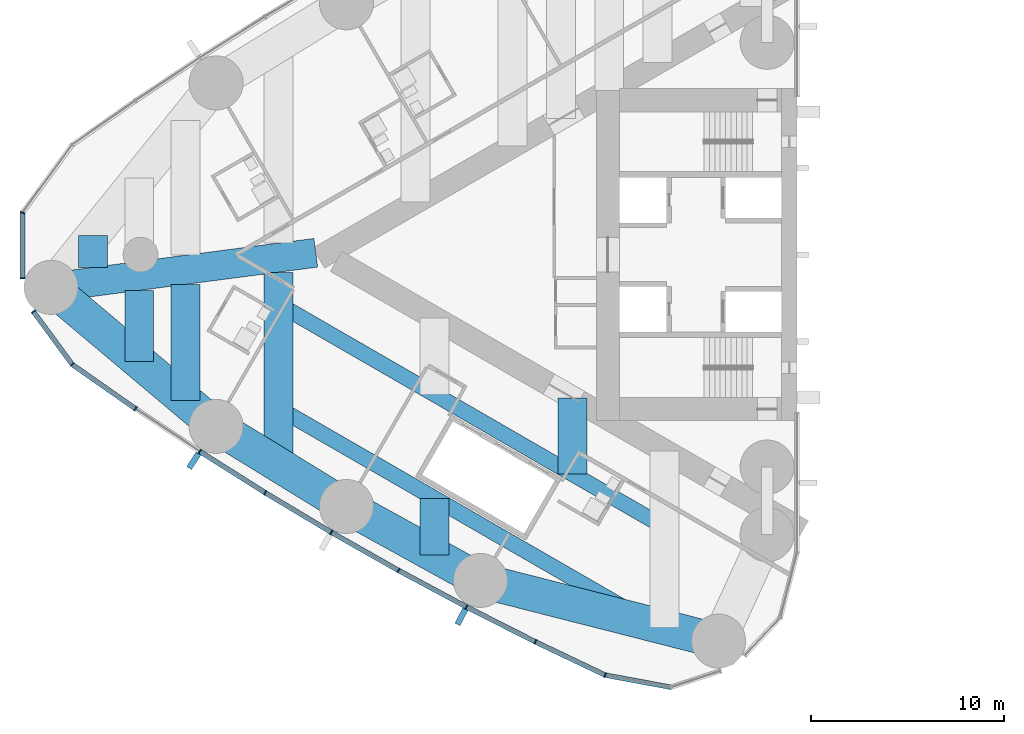
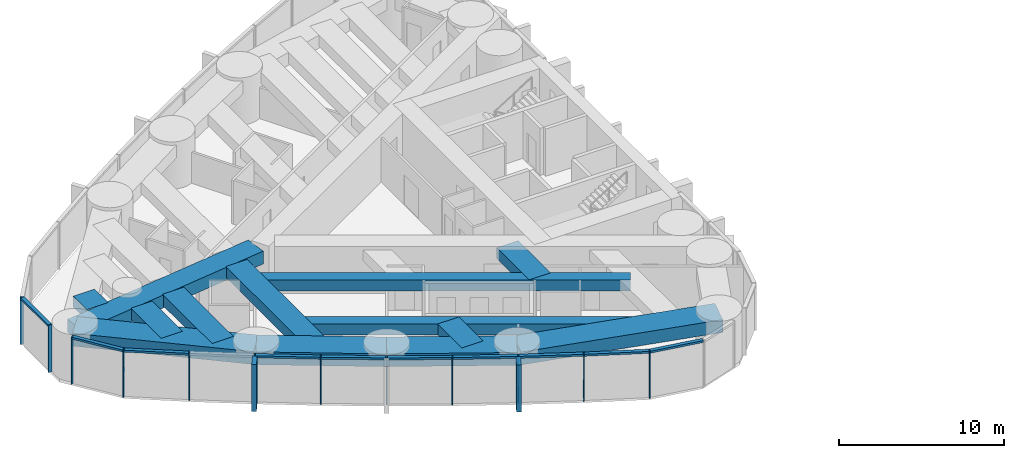
# One storey, part 2 of 19: 24 members, 13 beams, 2 elements without a shape of their own.
"""IFC4 building model written with IfcOpenShell, lengths in metres."""

from ifc_helpers import new_model, si_unit, direction, frame, origin, origin_2d, place, context, subcontext, project, spatial, rectangle, hollow_rectangle, extrude, material, material_profile, profile_set, type_object, element, aggregate, save


model = new_model("IFC4")

# Units and contexts
model_context = context("Model", 3, precision=1e-05, world=origin(), true_north=direction((0.0, 1.0)))
body_context = subcontext(model_context, "Body", "Model", "MODEL_VIEW")
ifc_project = project(units=[si_unit("LENGTHUNIT", "METRE"), si_unit("AREAUNIT", "SQUARE_METRE"), si_unit("VOLUMEUNIT", "CUBIC_METRE"), si_unit("PLANEANGLEUNIT", "RADIAN"), si_unit("MASSUNIT", "GRAM", prefix="KILO")], contexts=[model_context])

# Site, building, storey
site_placement = place(None, origin())
site = spatial("IfcSite", under=ifc_project, at=site_placement, CompositionType="ELEMENT")
building_placement = place(site_placement, origin())
building = spatial("IfcBuilding", under=site, at=building_placement, Name="Lancet Gate Hotel", CompositionType="ELEMENT")
storey_placement = place(building_placement, frame((0.0, 0.0, 173.800048828125)))
storey = spatial("IfcBuildingStorey", under=building, at=storey_placement, Name="L46", CompositionType="ELEMENT", Elevation=173.800048828125)

# Curtain wall, members
ifc_material_1 = material(Name="Aluminium curtain wall", Category="aluminium")
curtain_wall_type = type_object("IfcCurtainWallType", Name="Tower unitised curtain wall", PredefinedType="USERDEFINED", material=ifc_material_1)
curtain_wall_1_placement = place(storey_placement, origin())
curtain_wall_1 = element("IfcCurtainWall", 1, at=curtain_wall_1_placement, inside=storey, type_object=curtain_wall_type, Name="T1 L46 curtain wall 2", ObjectType="UNITISED CURTAIN WALL", PredefinedType="USERDEFINED")
ifc_material_2 = material(Name="Aluminium mullion", Category="aluminium")
ifc_material_profile_1 = material_profile(ifc_material_2, rectangle(XDim=0.06494140625, YDim=0.25, at=origin_2d()), Name="MULLION 65x250")
ifc_profile_set_1 = profile_set([ifc_material_profile_1], Name="Aluminium mullion")
member_type_1 = type_object("IfcMemberType", Name="Aluminium mullion 65x250", PredefinedType="MULLION", material=ifc_profile_set_1)
member_1_placement = place(storey_placement, frame((-67.61572265625, 2.177490234375, 0.0), z_axis=(0.0, 0.0, 1.0), x_axis=(-0.349199411078, -0.937048435943, 0.0)))
member_1 = element("IfcMember", 2, at=member_1_placement, type_object=member_type_1, Name="T1 L46 curtain wall 2 mullion 12", PredefinedType="MULLION", context=body_context, shape_type="SweptSolid", body=[
    extrude(rectangle(XDim=0.06494140625, YDim=0.25, at=origin_2d()), origin(), (0.0, 0.0, 1.0), 3.5),
])
member_2_placement = place(storey_placement, frame((-67.61572265625, -1.220458984375, 0.0), z_axis=(0.0, 0.0, 1.0), x_axis=(0.0, -1.0, 0.0)))
member_2 = element("IfcMember", 3, at=member_2_placement, type_object=member_type_1, Name="T1 L46 curtain wall 2 mullion 13", PredefinedType="MULLION", context=body_context, shape_type="SweptSolid", body=[
    extrude(rectangle(XDim=0.06494140625, YDim=0.25, at=origin_2d()), origin(), (0.0, 0.0, 1.0), 3.5),
])

curtain_wall_2_placement = place(storey_placement, origin())
curtain_wall_2 = element("IfcCurtainWall", 4, at=curtain_wall_2_placement, inside=storey, type_object=curtain_wall_type, Name="T1 L46 curtain wall 3", ObjectType="UNITISED CURTAIN WALL", PredefinedType="USERDEFINED")
member_3_placement = place(storey_placement, frame((-67.05029296875, -2.948486328125, 0.0), z_axis=(0.0, 0.0, 1.0), x_axis=(0.591299785592, -0.806451835858, 0.0)))
member_3 = element("IfcMember", 5, at=member_3_placement, type_object=member_type_1, Name="T1 L46 curtain wall 3 mullion 1", PredefinedType="MULLION", context=body_context, shape_type="SweptSolid", body=[
    extrude(rectangle(XDim=0.06494140625, YDim=0.25, at=origin_2d()), origin(), (0.0, 0.0, 1.0), 3.5),
])
member_4_placement = place(storey_placement, frame((-65.040283203125, -5.68994140625, 0.0), z_axis=(0.0, 0.0, 1.0), x_axis=(0.724381882759, -0.689398932354, 0.0)))
member_4 = element("IfcMember", 6, at=member_4_placement, type_object=member_type_1, Name="T1 L46 curtain wall 3 mullion 2", PredefinedType="MULLION", context=body_context, shape_type="SweptSolid", body=[
    extrude(rectangle(XDim=0.06494140625, YDim=0.25, at=origin_2d()), origin(), (0.0, 0.0, 1.0), 3.5),
])
member_5_placement = place(storey_placement, frame((-61.7626953125, -7.980712890625, 0.0), z_axis=(0.0, 0.0, 1.0), x_axis=(0.826312172542, -0.563212387568, 0.0)))
member_5 = element("IfcMember", 7, at=member_5_placement, type_object=member_type_1, Name="T1 L46 curtain wall 3 mullion 3", PredefinedType="MULLION", context=body_context, shape_type="SweptSolid", body=[
    extrude(rectangle(XDim=0.06494140625, YDim=0.25, at=origin_2d()), origin(), (0.0, 0.0, 1.0), 3.5),
])
member_6_placement = place(storey_placement, frame((-58.43212890625, -10.194091796875, 0.0), z_axis=(0.0, 0.0, 1.0), x_axis=(0.839331119324, -0.54362052218, 0.0)))
member_6 = element("IfcMember", 8, at=member_6_placement, type_object=member_type_1, Name="T1 L46 curtain wall 3 mullion 4", PredefinedType="MULLION", context=body_context, shape_type="SweptSolid", body=[
    extrude(rectangle(XDim=0.06494140625, YDim=0.25, at=origin_2d()), origin(), (0.0, 0.0, 1.0), 3.5),
])
member_7_placement = place(storey_placement, frame((-55.05029296875, -12.328369140625, 0.0), z_axis=(0.0, 0.0, 1.0), x_axis=(0.851885635531, -0.52372785297, 0.0)))
member_7 = element("IfcMember", 9, at=member_7_placement, type_object=member_type_1, Name="T1 L46 curtain wall 3 mullion 5", PredefinedType="MULLION", context=body_context, shape_type="SweptSolid", body=[
    extrude(rectangle(XDim=0.06494140625, YDim=0.25, at=origin_2d()), origin(), (0.0, 0.0, 1.0), 3.5),
])
member_8_placement = place(storey_placement, frame((-51.619384765625, -14.38232421875, 0.0), z_axis=(0.0, 0.0, 1.0), x_axis=(0.863968774311, -0.503545387245, 0.0)))
member_8 = element("IfcMember", 10, at=member_8_placement, type_object=member_type_1, Name="T1 L46 curtain wall 3 mullion 6", PredefinedType="MULLION", context=body_context, shape_type="SweptSolid", body=[
    extrude(rectangle(XDim=0.06494140625, YDim=0.25, at=origin_2d()), origin(), (0.0, 0.0, 1.0), 3.5),
])
member_9_placement = place(storey_placement, frame((-48.140869140625, -16.355224609375, 0.0), z_axis=(0.0, 0.0, 1.0), x_axis=(0.87557384965, -0.483084292654, 0.0)))
member_9 = element("IfcMember", 11, at=member_9_placement, type_object=member_type_1, Name="T1 L46 curtain wall 3 mullion 7", PredefinedType="MULLION", context=body_context, shape_type="SweptSolid", body=[
    extrude(rectangle(XDim=0.06494140625, YDim=0.25, at=origin_2d()), origin(), (0.0, 0.0, 1.0), 3.5),
])
member_10_placement = place(storey_placement, frame((-44.6171875, -18.245849609375, 0.0), z_axis=(0.0, 0.0, 1.0), x_axis=(0.886694440064, -0.462355891019, 0.0)))
member_10 = element("IfcMember", 12, at=member_10_placement, type_object=member_type_1, Name="T1 L46 curtain wall 3 mullion 8", PredefinedType="MULLION", context=body_context, shape_type="SweptSolid", body=[
    extrude(rectangle(XDim=0.06494140625, YDim=0.25, at=origin_2d()), origin(), (0.0, 0.0, 1.0), 3.5),
])
member_11_placement = place(storey_placement, frame((-41.0498046875, -20.052978515625, 0.0), z_axis=(0.0, 0.0, 1.0), x_axis=(0.897324392142, -0.441371652088, 0.0)))
member_11 = element("IfcMember", 13, at=member_11_placement, type_object=member_type_1, Name="T1 L46 curtain wall 3 mullion 9", PredefinedType="MULLION", context=body_context, shape_type="SweptSolid", body=[
    extrude(rectangle(XDim=0.06494140625, YDim=0.25, at=origin_2d()), origin(), (0.0, 0.0, 1.0), 3.5),
])
member_12_placement = place(storey_placement, frame((-37.44091796875, -21.775634765625, 0.0), z_axis=(0.0, 0.0, 1.0), x_axis=(0.948119321052, -0.317914694609, 0.0)))
member_12 = element("IfcMember", 14, at=member_12_placement, type_object=member_type_1, Name="T1 L46 curtain wall 3 mullion 10", PredefinedType="MULLION", context=body_context, shape_type="SweptSolid", body=[
    extrude(rectangle(XDim=0.06494140625, YDim=0.25, at=origin_2d()), origin(), (0.0, 0.0, 1.0), 3.5),
])

# Member
ifc_material_3 = material(Name="Aluminium transom", Category="aluminium")
ifc_material_profile_2 = material_profile(ifc_material_3, rectangle(XDim=0.25, YDim=0.14990234375, at=origin_2d()), Name="TRANSOM 250x150")
ifc_profile_set_2 = profile_set([ifc_material_profile_2], Name="Aluminium transom")
member_type_2 = type_object("IfcMemberType", Name="Aluminium transom 250x150", PredefinedType="USERDEFINED", material=ifc_profile_set_2)
member_13_placement = place(storey_placement, frame((-67.61572265625, 2.14501953125, 3.425048828125), z_axis=(0.0, -1.0, 0.0), x_axis=(1.0, 0.0, 0.0)))
member_13 = element("IfcMember", 15, at=member_13_placement, type_object=member_type_2, Name="T1 L46 curtain wall 2 transom 12", ObjectType="TRANSOM", PredefinedType="USERDEFINED", context=body_context, shape_type="SweptSolid", body=[
    extrude(rectangle(XDim=0.25, YDim=0.14990234375, at=origin_2d()), origin(), (0.0, 0.0, 1.0), 3.3330078125),
])

aggregate(curtain_wall_1, [member_1, member_2, member_13])

member_14_placement = place(storey_placement, frame((-67.031005859375, -2.974853515625, 3.425048828125), z_axis=(0.591306519832, -0.806446898193, 0.0), x_axis=(0.806446898193, 0.591306519832, 0.0)))
member_14 = element("IfcMember", 16, at=member_14_placement, type_object=member_type_2, Name="T1 L46 curtain wall 3 transom 1", ObjectType="TRANSOM", PredefinedType="USERDEFINED", context=body_context, shape_type="SweptSolid", body=[
    extrude(rectangle(XDim=0.25, YDim=0.14990234375, at=origin_2d()), origin(), (0.0, 0.0, 1.0), 3.333984375),
])

member_15_placement = place(storey_placement, frame((-65.013671875, -5.70849609375, 3.425048828125), z_axis=(0.819636985462, -0.572883244704, 0.0), x_axis=(0.572883244704, 0.819636985462, 0.0)))
member_15 = element("IfcMember", 17, at=member_15_placement, type_object=member_type_2, Name="T1 L46 curtain wall 3 transom 2", ObjectType="TRANSOM", PredefinedType="USERDEFINED", context=body_context, shape_type="SweptSolid", body=[
    extrude(rectangle(XDim=0.25, YDim=0.14990234375, at=origin_2d()), origin(), (0.0, 0.0, 1.0), 3.933837890625),
])

member_16_placement = place(storey_placement, frame((-58.40478515625, -10.21142578125, 3.425048828125), z_axis=(0.845671711095, -0.53370343549, 0.0), x_axis=(0.53370343549, 0.845671711095, 0.0)))
member_16 = element("IfcMember", 18, at=member_16_placement, type_object=member_type_2, Name="T1 L46 curtain wall 3 transom 4", ObjectType="TRANSOM", PredefinedType="USERDEFINED", context=body_context, shape_type="SweptSolid", body=[
    extrude(rectangle(XDim=0.25, YDim=0.14990234375, at=origin_2d()), origin(), (0.0, 0.0, 1.0), 3.93408203125),
])

member_17_placement = place(storey_placement, frame((-55.0224609375, -12.344970703125, 3.425048828125), z_axis=(0.857985365092, -0.513674131419, 0.0), x_axis=(0.513674131419, 0.857985365092, 0.0)))
member_17 = element("IfcMember", 19, at=member_17_placement, type_object=member_type_2, Name="T1 L46 curtain wall 3 transom 5", ObjectType="TRANSOM", PredefinedType="USERDEFINED", context=body_context, shape_type="SweptSolid", body=[
    extrude(rectangle(XDim=0.25, YDim=0.14990234375, at=origin_2d()), origin(), (0.0, 0.0, 1.0), 3.933837890625),
])

member_18_placement = place(storey_placement, frame((-51.591064453125, -14.3984375, 3.425048828125), z_axis=(0.869819807367, -0.493369539709, 0.0), x_axis=(0.493369539709, 0.869819807367, 0.0)))
member_18 = element("IfcMember", 20, at=member_18_placement, type_object=member_type_2, Name="T1 L46 curtain wall 3 transom 6", ObjectType="TRANSOM", PredefinedType="USERDEFINED", context=body_context, shape_type="SweptSolid", body=[
    extrude(rectangle(XDim=0.25, YDim=0.14990234375, at=origin_2d()), origin(), (0.0, 0.0, 1.0), 3.93408203125),
])

member_19_placement = place(storey_placement, frame((-48.1123046875, -16.37060546875, 3.425048828125), z_axis=(0.881185491994, -0.472770693571, 0.0), x_axis=(0.472770693571, 0.881185491994, 0.0)))
member_19 = element("IfcMember", 21, at=member_19_placement, type_object=member_type_2, Name="T1 L46 curtain wall 3 transom 7", ObjectType="TRANSOM", PredefinedType="USERDEFINED", context=body_context, shape_type="SweptSolid", body=[
    extrude(rectangle(XDim=0.25, YDim=0.14990234375, at=origin_2d()), origin(), (0.0, 0.0, 1.0), 3.93408203125),
])

member_20_placement = place(storey_placement, frame((-44.588134765625, -18.260498046875, 3.425048828125), z_axis=(0.892081477453, -0.451874581699, 0.0), x_axis=(0.451874581699, 0.892081477453, 0.0)))
member_20 = element("IfcMember", 22, at=member_20_placement, type_object=member_type_2, Name="T1 L46 curtain wall 3 transom 8", ObjectType="TRANSOM", PredefinedType="USERDEFINED", context=body_context, shape_type="SweptSolid", body=[
    extrude(rectangle(XDim=0.25, YDim=0.14990234375, at=origin_2d()), origin(), (0.0, 0.0, 1.0), 3.933837890625),
])

member_21_placement = place(storey_placement, frame((-41.0205078125, -20.06689453125, 3.425048828125), z_axis=(0.902468975385, -0.430754858902, 0.0), x_axis=(0.430754858902, 0.902468975385, 0.0)))
member_21 = element("IfcMember", 23, at=member_21_placement, type_object=member_type_2, Name="T1 L46 curtain wall 3 transom 9", ObjectType="TRANSOM", PredefinedType="USERDEFINED", context=body_context, shape_type="SweptSolid", body=[
    extrude(rectangle(XDim=0.25, YDim=0.14990234375, at=origin_2d()), origin(), (0.0, 0.0, 1.0), 3.93408203125),
])

member_22_placement = place(storey_placement, frame((-37.408935546875, -21.781494140625, 3.425048828125), z_axis=(0.983286757871, -0.182063592724, 0.0), x_axis=(0.182063592724, 0.983286757871, 0.0)))
member_22 = element("IfcMember", 24, at=member_22_placement, type_object=member_type_2, Name="T1 L46 curtain wall 3 transom 10", ObjectType="TRANSOM", PredefinedType="USERDEFINED", context=body_context, shape_type="SweptSolid", body=[
    extrude(rectangle(XDim=0.25, YDim=0.14990234375, at=origin_2d()), origin(), (0.0, 0.0, 1.0), 3.406005859375),
])

# Beams
ifc_material_4 = material(Name="Concrete C50/60", Category="concrete")
ifc_material_profile_3 = material_profile(ifc_material_4, rectangle(XDim=1.800048828125, YDim=0.949951171875, at=origin_2d()), Name="RC 1800x950")
ifc_profile_set_3 = profile_set([ifc_material_profile_3], Name="Concrete C50/60")
beam_type_1 = type_object("IfcBeamType", Name="Edge beam RC 1800x950", PredefinedType="SPANDREL", material=ifc_profile_set_3)
beam_1_placement = place(storey_placement, frame((-66.142578125, -1.6953125, 2.77490234375), z_axis=(0.765120708367, -0.64388687021, 0.0), x_axis=(0.64388687021, 0.765120708367, 0.0)))
element("IfcBeam", 25, at=beam_1_placement, inside=storey, type_object=beam_type_1, Name="T1 edge beam EB1 L46", PredefinedType="SPANDREL", context=body_context, shape_type="SweptSolid", body=[
    extrude(rectangle(XDim=1.800048828125, YDim=0.949951171875, at=origin_2d()), origin(), (0.0, 0.0, 1.0), 11.1787109375),
])
beam_2_placement = place(storey_placement, frame((-57.589599609375, -8.89306640625, 2.77490234375), z_axis=(0.851892008043, -0.523717487423, 0.0), x_axis=(0.523717487423, 0.851892008043, 0.0)))
element("IfcBeam", 26, at=beam_2_placement, inside=storey, type_object=beam_type_1, Name="T1 edge beam EB1 L46", PredefinedType="SPANDREL", context=body_context, shape_type="SweptSolid", body=[
    extrude(rectangle(XDim=1.800048828125, YDim=0.949951171875, at=origin_2d()), origin(), (0.0, 0.0, 1.0), 7.92431640625),
])
beam_3_placement = place(storey_placement, frame((-50.8388671875, -13.043212890625, 2.77490234375), z_axis=(0.875577684027, -0.483077342911, 0.0), x_axis=(0.483077342911, 0.875577684027, 0.0)))
element("IfcBeam", 27, at=beam_3_placement, inside=storey, type_object=beam_type_1, Name="T1 edge beam EB1 L46", PredefinedType="SPANDREL", context=body_context, shape_type="SweptSolid", body=[
    extrude(rectangle(XDim=1.800048828125, YDim=0.949951171875, at=origin_2d()), origin(), (0.0, 0.0, 1.0), 7.924560546875),
])
beam_4_placement = place(storey_placement, frame((-43.900390625, -16.871337890625, 2.77490234375), z_axis=(0.969008414312, -0.247027717052, 0.0), x_axis=(0.247027717052, 0.969008414312, 0.0)))
element("IfcBeam", 28, at=beam_4_placement, inside=storey, type_object=beam_type_1, Name="T1 edge beam EB1 L46", PredefinedType="SPANDREL", context=body_context, shape_type="SweptSolid", body=[
    extrude(rectangle(XDim=1.800048828125, YDim=0.949951171875, at=origin_2d()), origin(), (0.0, 0.0, 1.0), 12.7294921875),
])

# Member
ifc_material_5 = material(Name="Precast concrete C50/60", Category="concrete")
ifc_material_profile_4 = material_profile(ifc_material_5, rectangle(XDim=0.300048828125, YDim=0.89990234375, at=origin_2d()), Name="FIN 300x900")
ifc_profile_set_4 = profile_set([ifc_material_profile_4], Name="Precast concrete C50/60")
member_type_3 = type_object("IfcMemberType", Name="Exposed concrete fin 300x900", PredefinedType="USERDEFINED", material=ifc_profile_set_4)
member_23_placement = place(storey_placement, frame((-58.74462890625, -10.6767578125, 0.0), z_axis=(0.0, 0.0, 1.0), x_axis=(0.839331119324, -0.54362052218, 0.0)))
member_23 = element("IfcMember", 29, at=member_23_placement, type_object=member_type_3, Name="T1 L46 curtain wall 3 fin 4", ObjectType="FIN", PredefinedType="USERDEFINED", context=body_context, shape_type="SweptSolid", body=[
    extrude(rectangle(XDim=0.300048828125, YDim=0.89990234375, at=origin_2d()), origin(), (0.0, 0.0, 1.0), 3.5),
])

member_24_placement = place(storey_placement, frame((-44.883056640625, -18.755615234375, 0.0), z_axis=(0.0, 0.0, 1.0), x_axis=(0.886694440064, -0.462355891019, 0.0)))
member_24 = element("IfcMember", 30, at=member_24_placement, type_object=member_type_3, Name="T1 L46 curtain wall 3 fin 8", ObjectType="FIN", PredefinedType="USERDEFINED", context=body_context, shape_type="SweptSolid", body=[
    extrude(rectangle(XDim=0.300048828125, YDim=0.89990234375, at=origin_2d()), origin(), (0.0, 0.0, 1.0), 3.5),
])

aggregate(curtain_wall_2, [member_3, member_4, member_5, member_6, member_23, member_7, member_8, member_9, member_10, member_24, member_11, member_12, member_14, member_15, member_16, member_17, member_18, member_19, member_20, member_21, member_22])

# Beams
ifc_material_6 = material(Name="Concrete C50/60", Category="concrete")
ifc_material_profile_5 = material_profile(ifc_material_6, rectangle(XDim=1.5, YDim=0.800048828125, at=origin_2d()), Name="RC 1500x800")
ifc_profile_set_5 = profile_set([ifc_material_profile_5], Name="Concrete C50/60")
beam_type_2 = type_object("IfcBeamType", Name="Floor beam RC 1500x800", PredefinedType="BEAM", material=ifc_profile_set_5)
beam_5_placement = place(storey_placement, frame((-54.3681640625, -0.9130859375, 2.849853515625), z_axis=(0.0, -1.0, 0.0), x_axis=(1.0, 0.0, 0.0)))
element("IfcBeam", 31, at=beam_5_placement, inside=storey, type_object=beam_type_2, Name="T1 floor beam F11N L46", PredefinedType="BEAM", context=body_context, shape_type="SweptSolid", body=[
    extrude(rectangle(XDim=1.5, YDim=0.800048828125, at=origin_2d()), origin(), (0.0, 0.0, 1.0), 9.96044921875),
])
beam_6_placement = place(storey_placement, frame((-59.168212890625, -1.54052734375, 2.849853515625), z_axis=(0.0, -1.0, 0.0), x_axis=(1.0, 0.0, 0.0)))
element("IfcBeam", 32, at=beam_6_placement, inside=storey, type_object=beam_type_2, Name="T1 floor beam F13N L46", PredefinedType="BEAM", context=body_context, shape_type="SweptSolid", body=[
    extrude(rectangle(XDim=1.5, YDim=0.800048828125, at=origin_2d()), origin(), (0.0, 0.0, 1.0), 6.02392578125),
])
beam_7_placement = place(storey_placement, frame((-61.568359375, -1.85400390625, 2.849853515625), z_axis=(0.0, -1.0, 0.0), x_axis=(1.0, 0.0, 0.0)))
element("IfcBeam", 33, at=beam_7_placement, inside=storey, type_object=beam_type_2, Name="T1 floor beam F15N L46", PredefinedType="BEAM", context=body_context, shape_type="SweptSolid", body=[
    extrude(rectangle(XDim=1.5, YDim=0.800048828125, at=origin_2d()), origin(), (0.0, 0.0, 1.0), 3.69091796875),
])
beam_8_placement = place(storey_placement, frame((-63.96826171875, 0.996337890625, 2.849853515625), z_axis=(0.0, -1.0, 0.0), x_axis=(1.0, 0.0, 0.0)))
element("IfcBeam", 34, at=beam_8_placement, inside=storey, type_object=beam_type_2, Name="T1 floor beam F16S L46", PredefinedType="BEAM", context=body_context, shape_type="SweptSolid", body=[
    extrude(rectangle(XDim=1.5, YDim=0.800048828125, at=origin_2d()), origin(), (0.0, 0.0, 1.0), 1.6513671875),
])
beam_9_placement = place(storey_placement, frame((-39.122314453125, -7.41650390625, 2.849853515625), z_axis=(0.0, -1.0, 0.0), x_axis=(1.0, 0.0, 0.0)))
element("IfcBeam", 35, at=beam_9_placement, inside=storey, type_object=beam_type_2, Name="T1 floor beam F05NA L46", PredefinedType="BEAM", context=body_context, shape_type="SweptSolid", body=[
    extrude(rectangle(XDim=1.5, YDim=0.800048828125, at=origin_2d()), origin(), (0.0, 0.0, 1.0), 3.945556640625),
])
beam_10_placement = place(storey_placement, frame((-46.27587890625, -12.61962890625, 2.849853515625), z_axis=(0.0, -1.0, 0.0), x_axis=(1.0, 0.0, 0.0)))
element("IfcBeam", 36, at=beam_10_placement, inside=storey, type_object=beam_type_2, Name="T1 floor beam F08NB L46", PredefinedType="BEAM", context=body_context, shape_type="SweptSolid", body=[
    extrude(rectangle(XDim=1.5, YDim=0.800048828125, at=origin_2d()), origin(), (0.0, 0.0, 1.0), 2.941162109375),
])
ifc_material_7 = material(Name="Concrete C50/60", Category="concrete")
ifc_material_profile_6 = material_profile(ifc_material_7, rectangle(XDim=1.5, YDim=0.949951171875, at=origin_2d()), Name="RC 1500x950")
ifc_profile_set_6 = profile_set([ifc_material_profile_6], Name="Concrete C50/60")
beam_type_3 = type_object("IfcBeamType", Name="Radial floor beam RC 1500x950", PredefinedType="BEAM", material=ifc_profile_set_6)
beam_11_placement = place(storey_placement, frame((-66.142578125, -1.6953125, 2.77490234375), z_axis=(0.991571259053, 0.129562487702, 0.0), x_axis=(-0.129562487702, 0.991571259053, 0.0)))
element("IfcBeam", 37, at=beam_11_placement, inside=storey, type_object=beam_type_3, Name="T1 radial beam CA L46", PredefinedType="BEAM", context=body_context, shape_type="SweptSolid", body=[
    extrude(rectangle(XDim=1.5, YDim=0.949951171875, at=origin_2d()), origin(), (0.0, 0.0, 1.0), 13.8349609375),
])
ifc_material_8 = material(Name="Steel S460QL", Category="steel")
ifc_material_profile_7 = material_profile(ifc_material_8, hollow_rectangle(XDim=0.800048828125, YDim=0.800048828125, WallThickness=0.080078125, at=origin_2d()), Name="BOX 800x800x80")
ifc_profile_set_7 = profile_set([ifc_material_profile_7], Name="Steel S460QL")
beam_type_4 = type_object("IfcBeamType", Name="Trimmer beam BOX 800x800x80", PredefinedType="BEAM", material=ifc_profile_set_7)
beam_12_placement = place(storey_placement, frame((-34.353515625, -14.115234375, 2.849853515625), z_axis=(-0.866035353112, 0.499982766863, 0.0), x_axis=(-0.499982766863, -0.866035353112, 0.0)))
element("IfcBeam", 38, at=beam_12_placement, inside=storey, type_object=beam_type_4, Name="T1 trimmer beam TR01N L46", PredefinedType="BEAM", context=body_context, shape_type="SweptSolid", body=[
    extrude(hollow_rectangle(XDim=0.800048828125, YDim=0.800048828125, WallThickness=0.080078125, at=origin_2d()), origin(), (0.0, 0.0, 1.0), 23.110595703125),
])
beam_13_placement = place(storey_placement, frame((-34.966552734375, -19.14892578125, 2.849853515625), z_axis=(-0.866032239169, 0.499988160579, 0.0), x_axis=(-0.499988160579, -0.866032239169, 0.0)))
element("IfcBeam", 39, at=beam_13_placement, inside=storey, type_object=beam_type_4, Name="T1 trimmer beam TR02N L46", PredefinedType="BEAM", context=body_context, shape_type="SweptSolid", body=[
    extrude(hollow_rectangle(XDim=0.800048828125, YDim=0.800048828125, WallThickness=0.080078125, at=origin_2d()), origin(), (0.0, 0.0, 1.0), 22.40283203125),
])

save(model, "model.ifc")
